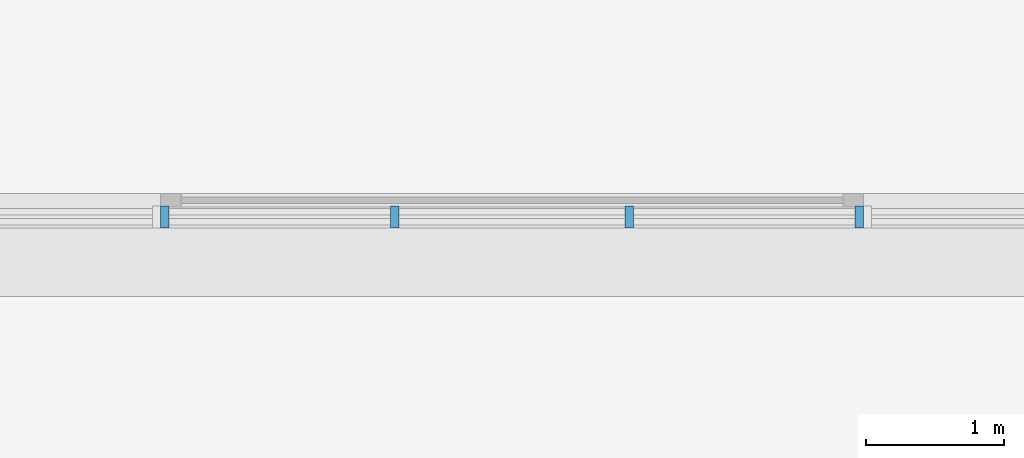
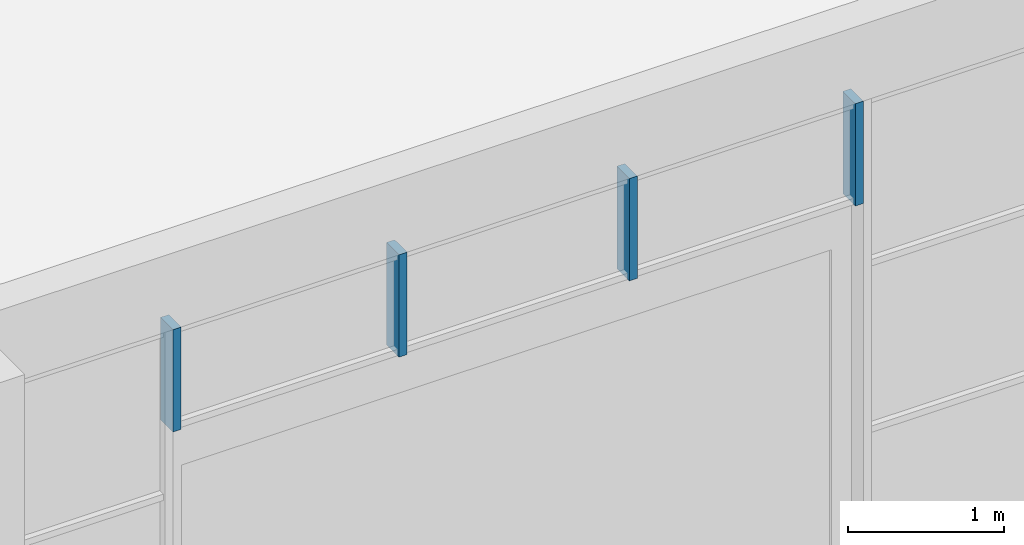
# One storey, part 72 of 168: 4 members, 1 element without a shape of its own.
"""IFC4 building model written with IfcOpenShell, lengths in metres."""

from ifc_helpers import new_model, si_unit, direction, frame, origin, origin_2d, place, context, subcontext, project, spatial, rectangle, extrude, material, material_profile, profile_set, type_object, element, aggregate, save


model = new_model("IFC4")

# Units and contexts
model_context = context("Model", 3, precision=1e-05, world=origin(), true_north=direction((0.0, 1.0)))
body_context = subcontext(model_context, "Body", "Model", "MODEL_VIEW")
ifc_project = project(units=[si_unit("LENGTHUNIT", "METRE"), si_unit("AREAUNIT", "SQUARE_METRE"), si_unit("VOLUMEUNIT", "CUBIC_METRE"), si_unit("PLANEANGLEUNIT", "RADIAN"), si_unit("MASSUNIT", "GRAM", prefix="KILO")], contexts=[model_context])

# Site, building, storey
site_placement = place(None, origin())
site = spatial("IfcSite", under=ifc_project, at=site_placement, CompositionType="ELEMENT")
building_placement = place(site_placement, origin())
building = spatial("IfcBuilding", under=site, at=building_placement, Name="Silverbay Arena", CompositionType="ELEMENT")
storey_placement = place(building_placement, frame((0.0, 0.0, 7.0)))
storey = spatial("IfcBuildingStorey", under=building, at=storey_placement, Name="L01", CompositionType="ELEMENT", Elevation=7.0)

# Curtain wall, members
ifc_material_1 = material(Name="Aluminium framed curtain wall", Category="aluminium")
curtain_wall_type = type_object("IfcCurtainWallType", Name="Curtain wall 5100 x 800", PredefinedType="NOTDEFINED", material=ifc_material_1)
curtain_wall_placement = place(storey_placement, origin())
curtain_wall = element("IfcCurtainWall", 1, at=curtain_wall_placement, inside=storey, type_object=curtain_wall_type, Name="North curtain wall L01 bay 12", PredefinedType="NOTDEFINED")
ifc_material_2 = material(Name="Aluminium", Category="aluminium")
ifc_material_profile = material_profile(ifc_material_2, rectangle(XDim=0.159912109375, YDim=0.06005859375, at=origin_2d()), Name="Mullion 60 x 160")
ifc_profile_set = profile_set([ifc_material_profile], Name="Aluminium")
member_type = type_object("IfcMemberType", Name="Mullion 60 x 160", PredefinedType="MULLION", material=ifc_profile_set)
member_1_placement = place(storey_placement, frame((133.02001953125, 144.330078125, 3.10009765625), z_axis=(0.0, 0.0, 1.0), x_axis=(0.0, -1.0, 0.0)))
member_1 = element("IfcMember", 2, at=member_1_placement, type_object=member_type, Name="CW3 mullion 1", PredefinedType="MULLION", context=body_context, shape_type="SweptSolid", body=[
    extrude(rectangle(XDim=0.159912109375, YDim=0.06005859375, at=origin_2d()), origin(), (0.0, 0.0, 1.0), 0.7998046875),
])
member_2_placement = place(storey_placement, frame((131.35009765625, 144.330078125, 3.10009765625), z_axis=(0.0, 0.0, 1.0), x_axis=(0.0, -1.0, 0.0)))
member_2 = element("IfcMember", 3, at=member_2_placement, type_object=member_type, Name="CW3 mullion 2", PredefinedType="MULLION", context=body_context, shape_type="SweptSolid", body=[
    extrude(rectangle(XDim=0.159912109375, YDim=0.06005859375, at=origin_2d()), origin(), (0.0, 0.0, 1.0), 0.7998046875),
])
member_3_placement = place(storey_placement, frame((129.64990234375, 144.330078125, 3.10009765625), z_axis=(0.0, 0.0, 1.0), x_axis=(0.0, -1.0, 0.0)))
member_3 = element("IfcMember", 4, at=member_3_placement, type_object=member_type, Name="CW3 mullion 3", PredefinedType="MULLION", context=body_context, shape_type="SweptSolid", body=[
    extrude(rectangle(XDim=0.159912109375, YDim=0.06005859375, at=origin_2d()), origin(), (0.0, 0.0, 1.0), 0.7998046875),
])
member_4_placement = place(storey_placement, frame((127.97998046875, 144.330078125, 3.10009765625), z_axis=(0.0, 0.0, 1.0), x_axis=(0.0, -1.0, 0.0)))
member_4 = element("IfcMember", 5, at=member_4_placement, type_object=member_type, Name="CW3 mullion 4", PredefinedType="MULLION", context=body_context, shape_type="SweptSolid", body=[
    extrude(rectangle(XDim=0.159912109375, YDim=0.06005859375, at=origin_2d()), origin(), (0.0, 0.0, 1.0), 0.7998046875),
])
aggregate(curtain_wall, [member_1, member_2, member_3, member_4])

save(model, "model.ifc")
